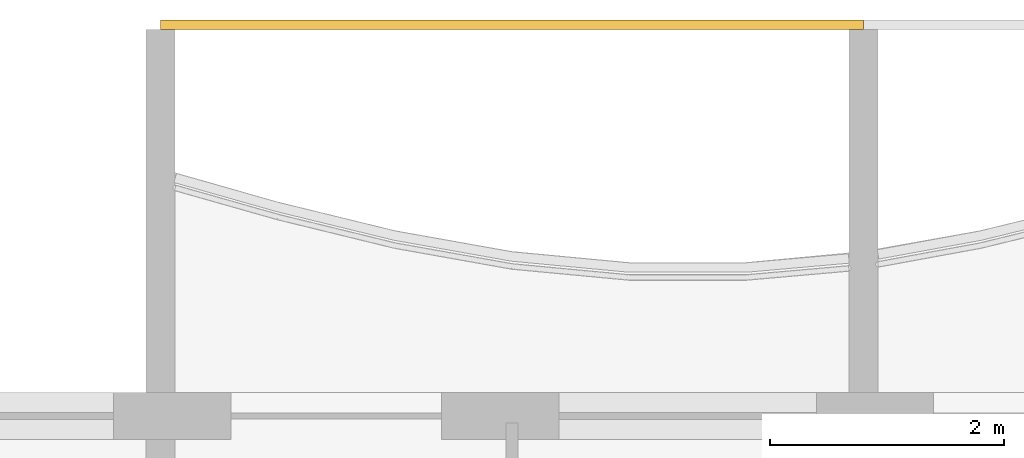
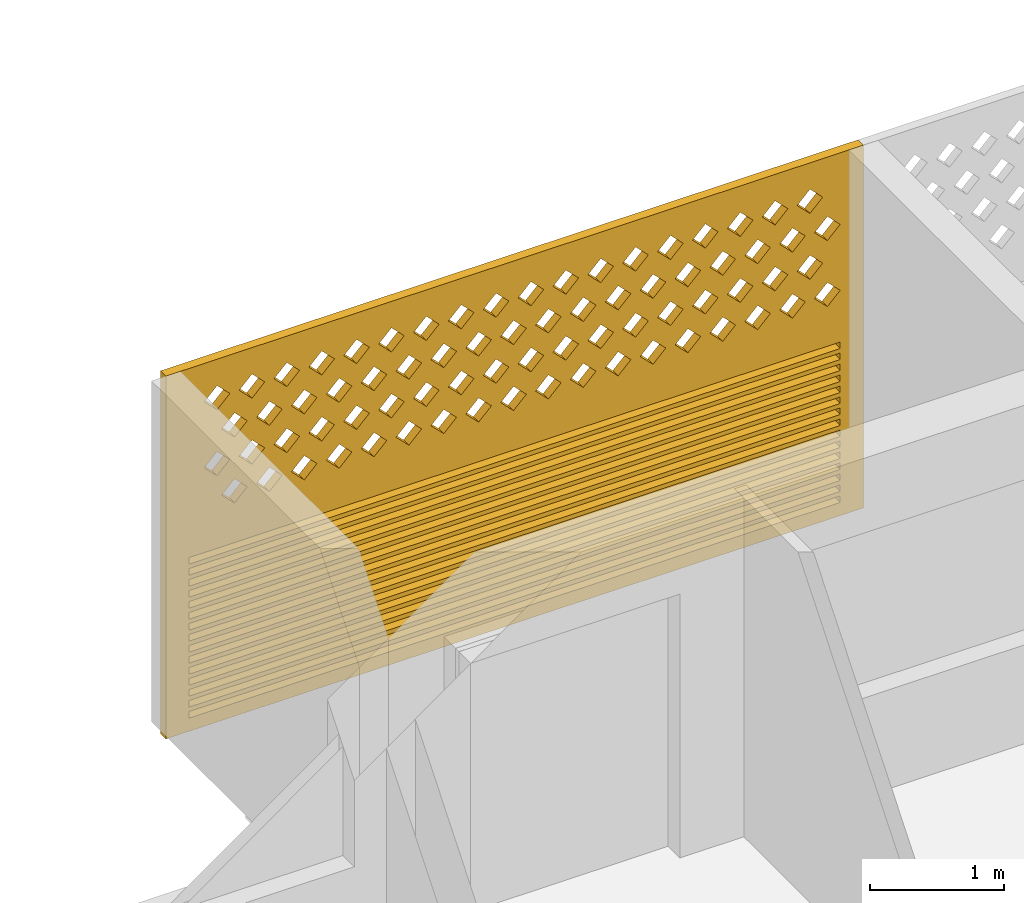
# One storey, part 22 of 28: 1 covering.
"""IFC4 building model written with IfcOpenShell, lengths in metres."""

from ifc_helpers import new_model, si_unit, direction, frame, origin, place, context, subcontext, project, spatial, polyline, outline, extrude, source, transform, mapped, material, material_profile, profile_set, type_object, element, save


model = new_model("IFC4")

# Units and contexts
model_context = context("Model", 3, precision=1e-05, world=origin(), true_north=direction((0.0, 1.0)))
body_context = subcontext(model_context, "Body", "Model", "MODEL_VIEW")
ifc_project = project(units=[si_unit("LENGTHUNIT", "METRE"), si_unit("AREAUNIT", "SQUARE_METRE"), si_unit("VOLUMEUNIT", "CUBIC_METRE"), si_unit("PLANEANGLEUNIT", "RADIAN"), si_unit("MASSUNIT", "GRAM", prefix="KILO")], contexts=[model_context])

# Site, building, storey
site_placement = place(None, origin())
site = spatial("IfcSite", under=ifc_project, at=site_placement, CompositionType="ELEMENT")
building_placement = place(site_placement, origin())
building = spatial("IfcBuilding", under=site, at=building_placement, Name="Poui Terraces", CompositionType="ELEMENT")
storey_placement = place(building_placement, frame((0.0, 0.0, 181.800048828125)))
storey = spatial("IfcBuildingStorey", under=building, at=storey_placement, Name="L50", CompositionType="ELEMENT", Elevation=181.800048828125)

# Covering
ifc_material = material(Name="Terracotta screen", Category="masonry")
ifc_material_profile = material_profile(ifc_material, outline(polyline([(-3.0, -1.64990234375), (3.0, -1.64990234375), (3.0, 1.64990234375), (-3.0, 1.64990234375), (-3.0, -1.64990234375)]), holes=[polyline([(-2.800048828125, 0.39990234375), (-2.68994140625, 0.2900390625), (-2.580078125, 0.39990234375), (-2.68994140625, 0.510009765625), (-2.800048828125, 0.39990234375)]), polyline([(-2.5, 0.39990234375), (-2.389892578125, 0.2900390625), (-2.280029296875, 0.39990234375), (-2.389892578125, 0.510009765625), (-2.5, 0.39990234375)]), polyline([(-2.199951171875, 0.39990234375), (-2.090087890625, 0.2900390625), (-1.97998046875, 0.39990234375), (-2.090087890625, 0.510009765625), (-2.199951171875, 0.39990234375)]), polyline([(-1.89990234375, 0.39990234375), (-1.7900390625, 0.2900390625), (-1.679931640625, 0.39990234375), (-1.7900390625, 0.510009765625), (-1.89990234375, 0.39990234375)]), polyline([(-1.60009765625, 0.39990234375), (-1.489990234375, 0.2900390625), (-1.3798828125, 0.39990234375), (-1.489990234375, 0.510009765625), (-1.60009765625, 0.39990234375)]), polyline([(-1.300048828125, 0.39990234375), (-1.18994140625, 0.2900390625), (-1.080078125, 0.39990234375), (-1.18994140625, 0.510009765625), (-1.300048828125, 0.39990234375)]), polyline([(-1.0, 0.39990234375), (-0.889892578125, 0.2900390625), (-0.780029296875, 0.39990234375), (-0.889892578125, 0.510009765625), (-1.0, 0.39990234375)]), polyline([(-0.699951171875, 0.39990234375), (-0.590087890625, 0.2900390625), (-0.47998046875, 0.39990234375), (-0.590087890625, 0.510009765625), (-0.699951171875, 0.39990234375)]), polyline([(-0.39990234375, 0.39990234375), (-0.2900390625, 0.2900390625), (-0.179931640625, 0.39990234375), (-0.2900390625, 0.510009765625), (-0.39990234375, 0.39990234375)]), polyline([(-0.10009765625, 0.39990234375), (0.010009765625, 0.2900390625), (0.1201171875, 0.39990234375), (0.010009765625, 0.510009765625), (-0.10009765625, 0.39990234375)]), polyline([(0.199951171875, 0.39990234375), (0.31005859375, 0.2900390625), (0.419921875, 0.39990234375), (0.31005859375, 0.510009765625), (0.199951171875, 0.39990234375)]), polyline([(0.5, 0.39990234375), (0.610107421875, 0.2900390625), (0.719970703125, 0.39990234375), (0.610107421875, 0.510009765625), (0.5, 0.39990234375)]), polyline([(0.800048828125, 0.39990234375), (0.909912109375, 0.2900390625), (1.02001953125, 0.39990234375), (0.909912109375, 0.510009765625), (0.800048828125, 0.39990234375)]), polyline([(1.10009765625, 0.39990234375), (1.2099609375, 0.2900390625), (1.320068359375, 0.39990234375), (1.2099609375, 0.510009765625), (1.10009765625, 0.39990234375)]), polyline([(1.39990234375, 0.39990234375), (1.510009765625, 0.2900390625), (1.6201171875, 0.39990234375), (1.510009765625, 0.510009765625), (1.39990234375, 0.39990234375)]), polyline([(1.699951171875, 0.39990234375), (1.81005859375, 0.2900390625), (1.919921875, 0.39990234375), (1.81005859375, 0.510009765625), (1.699951171875, 0.39990234375)]), polyline([(2.0, 0.39990234375), (2.110107421875, 0.2900390625), (2.219970703125, 0.39990234375), (2.110107421875, 0.510009765625), (2.0, 0.39990234375)]), polyline([(2.300048828125, 0.39990234375), (2.409912109375, 0.2900390625), (2.52001953125, 0.39990234375), (2.409912109375, 0.510009765625), (2.300048828125, 0.39990234375)]), polyline([(-2.64990234375, 0.699951171875), (-2.5400390625, 0.590087890625), (-2.429931640625, 0.699951171875), (-2.5400390625, 0.81005859375), (-2.64990234375, 0.699951171875)]), polyline([(-2.35009765625, 0.699951171875), (-2.239990234375, 0.590087890625), (-2.1298828125, 0.699951171875), (-2.239990234375, 0.81005859375), (-2.35009765625, 0.699951171875)]), polyline([(-2.050048828125, 0.699951171875), (-1.93994140625, 0.590087890625), (-1.830078125, 0.699951171875), (-1.93994140625, 0.81005859375), (-2.050048828125, 0.699951171875)]), polyline([(-1.75, 0.699951171875), (-1.639892578125, 0.590087890625), (-1.530029296875, 0.699951171875), (-1.639892578125, 0.81005859375), (-1.75, 0.699951171875)]), polyline([(-1.449951171875, 0.699951171875), (-1.340087890625, 0.590087890625), (-1.22998046875, 0.699951171875), (-1.340087890625, 0.81005859375), (-1.449951171875, 0.699951171875)]), polyline([(-1.14990234375, 0.699951171875), (-1.0400390625, 0.590087890625), (-0.929931640625, 0.699951171875), (-1.0400390625, 0.81005859375), (-1.14990234375, 0.699951171875)]), polyline([(-0.85009765625, 0.699951171875), (-0.739990234375, 0.590087890625), (-0.6298828125, 0.699951171875), (-0.739990234375, 0.81005859375), (-0.85009765625, 0.699951171875)]), polyline([(-0.550048828125, 0.699951171875), (-0.43994140625, 0.590087890625), (-0.330078125, 0.699951171875), (-0.43994140625, 0.81005859375), (-0.550048828125, 0.699951171875)]), polyline([(-0.25, 0.699951171875), (-0.139892578125, 0.590087890625), (-0.030029296875, 0.699951171875), (-0.139892578125, 0.81005859375), (-0.25, 0.699951171875)]), polyline([(0.050048828125, 0.699951171875), (0.159912109375, 0.590087890625), (0.27001953125, 0.699951171875), (0.159912109375, 0.81005859375), (0.050048828125, 0.699951171875)]), polyline([(0.35009765625, 0.699951171875), (0.4599609375, 0.590087890625), (0.570068359375, 0.699951171875), (0.4599609375, 0.81005859375), (0.35009765625, 0.699951171875)]), polyline([(0.64990234375, 0.699951171875), (0.760009765625, 0.590087890625), (0.8701171875, 0.699951171875), (0.760009765625, 0.81005859375), (0.64990234375, 0.699951171875)]), polyline([(0.949951171875, 0.699951171875), (1.06005859375, 0.590087890625), (1.169921875, 0.699951171875), (1.06005859375, 0.81005859375), (0.949951171875, 0.699951171875)]), polyline([(1.25, 0.699951171875), (1.360107421875, 0.590087890625), (1.469970703125, 0.699951171875), (1.360107421875, 0.81005859375), (1.25, 0.699951171875)]), polyline([(1.550048828125, 0.699951171875), (1.659912109375, 0.590087890625), (1.77001953125, 0.699951171875), (1.659912109375, 0.81005859375), (1.550048828125, 0.699951171875)]), polyline([(1.85009765625, 0.699951171875), (1.9599609375, 0.590087890625), (2.070068359375, 0.699951171875), (1.9599609375, 0.81005859375), (1.85009765625, 0.699951171875)]), polyline([(2.14990234375, 0.699951171875), (2.260009765625, 0.590087890625), (2.3701171875, 0.699951171875), (2.260009765625, 0.81005859375), (2.14990234375, 0.699951171875)]), polyline([(2.449951171875, 0.699951171875), (2.56005859375, 0.590087890625), (2.669921875, 0.699951171875), (2.56005859375, 0.81005859375), (2.449951171875, 0.699951171875)]), polyline([(-2.800048828125, 1.0), (-2.68994140625, 0.889892578125), (-2.580078125, 1.0), (-2.68994140625, 1.110107421875), (-2.800048828125, 1.0)]), polyline([(-2.5, 1.0), (-2.389892578125, 0.889892578125), (-2.280029296875, 1.0), (-2.389892578125, 1.110107421875), (-2.5, 1.0)]), polyline([(-2.199951171875, 1.0), (-2.090087890625, 0.889892578125), (-1.97998046875, 1.0), (-2.090087890625, 1.110107421875), (-2.199951171875, 1.0)]), polyline([(-1.89990234375, 1.0), (-1.7900390625, 0.889892578125), (-1.679931640625, 1.0), (-1.7900390625, 1.110107421875), (-1.89990234375, 1.0)]), polyline([(-1.60009765625, 1.0), (-1.489990234375, 0.889892578125), (-1.3798828125, 1.0), (-1.489990234375, 1.110107421875), (-1.60009765625, 1.0)]), polyline([(-1.300048828125, 1.0), (-1.18994140625, 0.889892578125), (-1.080078125, 1.0), (-1.18994140625, 1.110107421875), (-1.300048828125, 1.0)]), polyline([(-1.0, 1.0), (-0.889892578125, 0.889892578125), (-0.780029296875, 1.0), (-0.889892578125, 1.110107421875), (-1.0, 1.0)]), polyline([(-0.699951171875, 1.0), (-0.590087890625, 0.889892578125), (-0.47998046875, 1.0), (-0.590087890625, 1.110107421875), (-0.699951171875, 1.0)]), polyline([(-0.39990234375, 1.0), (-0.2900390625, 0.889892578125), (-0.179931640625, 1.0), (-0.2900390625, 1.110107421875), (-0.39990234375, 1.0)]), polyline([(-0.10009765625, 1.0), (0.010009765625, 0.889892578125), (0.1201171875, 1.0), (0.010009765625, 1.110107421875), (-0.10009765625, 1.0)]), polyline([(0.199951171875, 1.0), (0.31005859375, 0.889892578125), (0.419921875, 1.0), (0.31005859375, 1.110107421875), (0.199951171875, 1.0)]), polyline([(0.5, 1.0), (0.610107421875, 0.889892578125), (0.719970703125, 1.0), (0.610107421875, 1.110107421875), (0.5, 1.0)]), polyline([(0.800048828125, 1.0), (0.909912109375, 0.889892578125), (1.02001953125, 1.0), (0.909912109375, 1.110107421875), (0.800048828125, 1.0)]), polyline([(1.10009765625, 1.0), (1.2099609375, 0.889892578125), (1.320068359375, 1.0), (1.2099609375, 1.110107421875), (1.10009765625, 1.0)]), polyline([(1.39990234375, 1.0), (1.510009765625, 0.889892578125), (1.6201171875, 1.0), (1.510009765625, 1.110107421875), (1.39990234375, 1.0)]), polyline([(1.699951171875, 1.0), (1.81005859375, 0.889892578125), (1.919921875, 1.0), (1.81005859375, 1.110107421875), (1.699951171875, 1.0)]), polyline([(2.0, 1.0), (2.110107421875, 0.889892578125), (2.219970703125, 1.0), (2.110107421875, 1.110107421875), (2.0, 1.0)]), polyline([(2.300048828125, 1.0), (2.409912109375, 0.889892578125), (2.52001953125, 1.0), (2.409912109375, 1.110107421875), (2.300048828125, 1.0)]), polyline([(-2.64990234375, 1.300048828125), (-2.5400390625, 1.18994140625), (-2.429931640625, 1.300048828125), (-2.5400390625, 1.409912109375), (-2.64990234375, 1.300048828125)]), polyline([(-2.35009765625, 1.300048828125), (-2.239990234375, 1.18994140625), (-2.1298828125, 1.300048828125), (-2.239990234375, 1.409912109375), (-2.35009765625, 1.300048828125)]), polyline([(-2.050048828125, 1.300048828125), (-1.93994140625, 1.18994140625), (-1.830078125, 1.300048828125), (-1.93994140625, 1.409912109375), (-2.050048828125, 1.300048828125)]), polyline([(-1.75, 1.300048828125), (-1.639892578125, 1.18994140625), (-1.530029296875, 1.300048828125), (-1.639892578125, 1.409912109375), (-1.75, 1.300048828125)]), polyline([(-1.449951171875, 1.300048828125), (-1.340087890625, 1.18994140625), (-1.22998046875, 1.300048828125), (-1.340087890625, 1.409912109375), (-1.449951171875, 1.300048828125)]), polyline([(-1.14990234375, 1.300048828125), (-1.0400390625, 1.18994140625), (-0.929931640625, 1.300048828125), (-1.0400390625, 1.409912109375), (-1.14990234375, 1.300048828125)]), polyline([(-0.85009765625, 1.300048828125), (-0.739990234375, 1.18994140625), (-0.6298828125, 1.300048828125), (-0.739990234375, 1.409912109375), (-0.85009765625, 1.300048828125)]), polyline([(-0.550048828125, 1.300048828125), (-0.43994140625, 1.18994140625), (-0.330078125, 1.300048828125), (-0.43994140625, 1.409912109375), (-0.550048828125, 1.300048828125)]), polyline([(-0.25, 1.300048828125), (-0.139892578125, 1.18994140625), (-0.030029296875, 1.300048828125), (-0.139892578125, 1.409912109375), (-0.25, 1.300048828125)]), polyline([(0.050048828125, 1.300048828125), (0.159912109375, 1.18994140625), (0.27001953125, 1.300048828125), (0.159912109375, 1.409912109375), (0.050048828125, 1.300048828125)]), polyline([(0.35009765625, 1.300048828125), (0.4599609375, 1.18994140625), (0.570068359375, 1.300048828125), (0.4599609375, 1.409912109375), (0.35009765625, 1.300048828125)]), polyline([(0.64990234375, 1.300048828125), (0.760009765625, 1.18994140625), (0.8701171875, 1.300048828125), (0.760009765625, 1.409912109375), (0.64990234375, 1.300048828125)]), polyline([(0.949951171875, 1.300048828125), (1.06005859375, 1.18994140625), (1.169921875, 1.300048828125), (1.06005859375, 1.409912109375), (0.949951171875, 1.300048828125)]), polyline([(1.25, 1.300048828125), (1.360107421875, 1.18994140625), (1.469970703125, 1.300048828125), (1.360107421875, 1.409912109375), (1.25, 1.300048828125)]), polyline([(1.550048828125, 1.300048828125), (1.659912109375, 1.18994140625), (1.77001953125, 1.300048828125), (1.659912109375, 1.409912109375), (1.550048828125, 1.300048828125)]), polyline([(1.85009765625, 1.300048828125), (1.9599609375, 1.18994140625), (2.070068359375, 1.300048828125), (1.9599609375, 1.409912109375), (1.85009765625, 1.300048828125)]), polyline([(2.14990234375, 1.300048828125), (2.260009765625, 1.18994140625), (2.3701171875, 1.300048828125), (2.260009765625, 1.409912109375), (2.14990234375, 1.300048828125)]), polyline([(2.449951171875, 1.300048828125), (2.56005859375, 1.18994140625), (2.669921875, 1.300048828125), (2.56005859375, 1.409912109375), (2.449951171875, 1.300048828125)]), polyline([(-2.800048828125, -1.530029296875), (2.800048828125, -1.530029296875), (2.800048828125, -1.469970703125), (-2.800048828125, -1.469970703125), (-2.800048828125, -1.530029296875)]), polyline([(-2.800048828125, -1.429931640625), (2.800048828125, -1.429931640625), (2.800048828125, -1.3701171875), (-2.800048828125, -1.3701171875), (-2.800048828125, -1.429931640625)]), polyline([(-2.800048828125, -1.330078125), (2.800048828125, -1.330078125), (2.800048828125, -1.27001953125), (-2.800048828125, -1.27001953125), (-2.800048828125, -1.330078125)]), polyline([(-2.800048828125, -1.22998046875), (2.800048828125, -1.22998046875), (2.800048828125, -1.169921875), (-2.800048828125, -1.169921875), (-2.800048828125, -1.22998046875)]), polyline([(-2.800048828125, -1.1298828125), (2.800048828125, -1.1298828125), (2.800048828125, -1.070068359375), (-2.800048828125, -1.070068359375), (-2.800048828125, -1.1298828125)]), polyline([(-2.800048828125, -1.030029296875), (2.800048828125, -1.030029296875), (2.800048828125, -0.969970703125), (-2.800048828125, -0.969970703125), (-2.800048828125, -1.030029296875)]), polyline([(-2.800048828125, -0.929931640625), (2.800048828125, -0.929931640625), (2.800048828125, -0.8701171875), (-2.800048828125, -0.8701171875), (-2.800048828125, -0.929931640625)]), polyline([(-2.800048828125, -0.830078125), (2.800048828125, -0.830078125), (2.800048828125, -0.77001953125), (-2.800048828125, -0.77001953125), (-2.800048828125, -0.830078125)]), polyline([(-2.800048828125, -0.72998046875), (2.800048828125, -0.72998046875), (2.800048828125, -0.669921875), (-2.800048828125, -0.669921875), (-2.800048828125, -0.72998046875)]), polyline([(-2.800048828125, -0.6298828125), (2.800048828125, -0.6298828125), (2.800048828125, -0.570068359375), (-2.800048828125, -0.570068359375), (-2.800048828125, -0.6298828125)]), polyline([(-2.800048828125, -0.530029296875), (2.800048828125, -0.530029296875), (2.800048828125, -0.469970703125), (-2.800048828125, -0.469970703125), (-2.800048828125, -0.530029296875)]), polyline([(-2.800048828125, -0.429931640625), (2.800048828125, -0.429931640625), (2.800048828125, -0.3701171875), (-2.800048828125, -0.3701171875), (-2.800048828125, -0.429931640625)]), polyline([(-2.800048828125, -0.330078125), (2.800048828125, -0.330078125), (2.800048828125, -0.27001953125), (-2.800048828125, -0.27001953125), (-2.800048828125, -0.330078125)]), polyline([(-2.800048828125, -0.22998046875), (2.800048828125, -0.22998046875), (2.800048828125, -0.169921875), (-2.800048828125, -0.169921875), (-2.800048828125, -0.22998046875)]), polyline([(-2.800048828125, -0.1298828125), (2.800048828125, -0.1298828125), (2.800048828125, -0.070068359375), (-2.800048828125, -0.070068359375), (-2.800048828125, -0.1298828125)])]), Name="TERRACOTTA SCREEN AND JALOUSIE LOUVRE 6000X3300")
ifc_profile_set = profile_set([ifc_material_profile], Name="Terracotta screen")
covering_type = type_object("IfcCoveringType", Name="TERRACOTTA SCREEN AND JALOUSIE LOUVRE 6000X3300", PredefinedType="CLADDING", material=ifc_profile_set)
shared_shape = source(origin(), body_context, "Body", "SweptSolid", [
    extrude(outline(polyline([(-3.0, -1.64990234375), (3.0, -1.64990234375), (3.0, 1.64990234375), (-3.0, 1.64990234375), (-3.0, -1.64990234375)]), holes=[polyline([(-2.800048828125, 0.39990234375), (-2.68994140625, 0.2900390625), (-2.580078125, 0.39990234375), (-2.68994140625, 0.510009765625), (-2.800048828125, 0.39990234375)]), polyline([(-2.5, 0.39990234375), (-2.389892578125, 0.2900390625), (-2.280029296875, 0.39990234375), (-2.389892578125, 0.510009765625), (-2.5, 0.39990234375)]), polyline([(-2.199951171875, 0.39990234375), (-2.090087890625, 0.2900390625), (-1.97998046875, 0.39990234375), (-2.090087890625, 0.510009765625), (-2.199951171875, 0.39990234375)]), polyline([(-1.89990234375, 0.39990234375), (-1.7900390625, 0.2900390625), (-1.679931640625, 0.39990234375), (-1.7900390625, 0.510009765625), (-1.89990234375, 0.39990234375)]), polyline([(-1.60009765625, 0.39990234375), (-1.489990234375, 0.2900390625), (-1.3798828125, 0.39990234375), (-1.489990234375, 0.510009765625), (-1.60009765625, 0.39990234375)]), polyline([(-1.300048828125, 0.39990234375), (-1.18994140625, 0.2900390625), (-1.080078125, 0.39990234375), (-1.18994140625, 0.510009765625), (-1.300048828125, 0.39990234375)]), polyline([(-1.0, 0.39990234375), (-0.889892578125, 0.2900390625), (-0.780029296875, 0.39990234375), (-0.889892578125, 0.510009765625), (-1.0, 0.39990234375)]), polyline([(-0.699951171875, 0.39990234375), (-0.590087890625, 0.2900390625), (-0.47998046875, 0.39990234375), (-0.590087890625, 0.510009765625), (-0.699951171875, 0.39990234375)]), polyline([(-0.39990234375, 0.39990234375), (-0.2900390625, 0.2900390625), (-0.179931640625, 0.39990234375), (-0.2900390625, 0.510009765625), (-0.39990234375, 0.39990234375)]), polyline([(-0.10009765625, 0.39990234375), (0.010009765625, 0.2900390625), (0.1201171875, 0.39990234375), (0.010009765625, 0.510009765625), (-0.10009765625, 0.39990234375)]), polyline([(0.199951171875, 0.39990234375), (0.31005859375, 0.2900390625), (0.419921875, 0.39990234375), (0.31005859375, 0.510009765625), (0.199951171875, 0.39990234375)]), polyline([(0.5, 0.39990234375), (0.610107421875, 0.2900390625), (0.719970703125, 0.39990234375), (0.610107421875, 0.510009765625), (0.5, 0.39990234375)]), polyline([(0.800048828125, 0.39990234375), (0.909912109375, 0.2900390625), (1.02001953125, 0.39990234375), (0.909912109375, 0.510009765625), (0.800048828125, 0.39990234375)]), polyline([(1.10009765625, 0.39990234375), (1.2099609375, 0.2900390625), (1.320068359375, 0.39990234375), (1.2099609375, 0.510009765625), (1.10009765625, 0.39990234375)]), polyline([(1.39990234375, 0.39990234375), (1.510009765625, 0.2900390625), (1.6201171875, 0.39990234375), (1.510009765625, 0.510009765625), (1.39990234375, 0.39990234375)]), polyline([(1.699951171875, 0.39990234375), (1.81005859375, 0.2900390625), (1.919921875, 0.39990234375), (1.81005859375, 0.510009765625), (1.699951171875, 0.39990234375)]), polyline([(2.0, 0.39990234375), (2.110107421875, 0.2900390625), (2.219970703125, 0.39990234375), (2.110107421875, 0.510009765625), (2.0, 0.39990234375)]), polyline([(2.300048828125, 0.39990234375), (2.409912109375, 0.2900390625), (2.52001953125, 0.39990234375), (2.409912109375, 0.510009765625), (2.300048828125, 0.39990234375)]), polyline([(-2.64990234375, 0.699951171875), (-2.5400390625, 0.590087890625), (-2.429931640625, 0.699951171875), (-2.5400390625, 0.81005859375), (-2.64990234375, 0.699951171875)]), polyline([(-2.35009765625, 0.699951171875), (-2.239990234375, 0.590087890625), (-2.1298828125, 0.699951171875), (-2.239990234375, 0.81005859375), (-2.35009765625, 0.699951171875)]), polyline([(-2.050048828125, 0.699951171875), (-1.93994140625, 0.590087890625), (-1.830078125, 0.699951171875), (-1.93994140625, 0.81005859375), (-2.050048828125, 0.699951171875)]), polyline([(-1.75, 0.699951171875), (-1.639892578125, 0.590087890625), (-1.530029296875, 0.699951171875), (-1.639892578125, 0.81005859375), (-1.75, 0.699951171875)]), polyline([(-1.449951171875, 0.699951171875), (-1.340087890625, 0.590087890625), (-1.22998046875, 0.699951171875), (-1.340087890625, 0.81005859375), (-1.449951171875, 0.699951171875)]), polyline([(-1.14990234375, 0.699951171875), (-1.0400390625, 0.590087890625), (-0.929931640625, 0.699951171875), (-1.0400390625, 0.81005859375), (-1.14990234375, 0.699951171875)]), polyline([(-0.85009765625, 0.699951171875), (-0.739990234375, 0.590087890625), (-0.6298828125, 0.699951171875), (-0.739990234375, 0.81005859375), (-0.85009765625, 0.699951171875)]), polyline([(-0.550048828125, 0.699951171875), (-0.43994140625, 0.590087890625), (-0.330078125, 0.699951171875), (-0.43994140625, 0.81005859375), (-0.550048828125, 0.699951171875)]), polyline([(-0.25, 0.699951171875), (-0.139892578125, 0.590087890625), (-0.030029296875, 0.699951171875), (-0.139892578125, 0.81005859375), (-0.25, 0.699951171875)]), polyline([(0.050048828125, 0.699951171875), (0.159912109375, 0.590087890625), (0.27001953125, 0.699951171875), (0.159912109375, 0.81005859375), (0.050048828125, 0.699951171875)]), polyline([(0.35009765625, 0.699951171875), (0.4599609375, 0.590087890625), (0.570068359375, 0.699951171875), (0.4599609375, 0.81005859375), (0.35009765625, 0.699951171875)]), polyline([(0.64990234375, 0.699951171875), (0.760009765625, 0.590087890625), (0.8701171875, 0.699951171875), (0.760009765625, 0.81005859375), (0.64990234375, 0.699951171875)]), polyline([(0.949951171875, 0.699951171875), (1.06005859375, 0.590087890625), (1.169921875, 0.699951171875), (1.06005859375, 0.81005859375), (0.949951171875, 0.699951171875)]), polyline([(1.25, 0.699951171875), (1.360107421875, 0.590087890625), (1.469970703125, 0.699951171875), (1.360107421875, 0.81005859375), (1.25, 0.699951171875)]), polyline([(1.550048828125, 0.699951171875), (1.659912109375, 0.590087890625), (1.77001953125, 0.699951171875), (1.659912109375, 0.81005859375), (1.550048828125, 0.699951171875)]), polyline([(1.85009765625, 0.699951171875), (1.9599609375, 0.590087890625), (2.070068359375, 0.699951171875), (1.9599609375, 0.81005859375), (1.85009765625, 0.699951171875)]), polyline([(2.14990234375, 0.699951171875), (2.260009765625, 0.590087890625), (2.3701171875, 0.699951171875), (2.260009765625, 0.81005859375), (2.14990234375, 0.699951171875)]), polyline([(2.449951171875, 0.699951171875), (2.56005859375, 0.590087890625), (2.669921875, 0.699951171875), (2.56005859375, 0.81005859375), (2.449951171875, 0.699951171875)]), polyline([(-2.800048828125, 1.0), (-2.68994140625, 0.889892578125), (-2.580078125, 1.0), (-2.68994140625, 1.110107421875), (-2.800048828125, 1.0)]), polyline([(-2.5, 1.0), (-2.389892578125, 0.889892578125), (-2.280029296875, 1.0), (-2.389892578125, 1.110107421875), (-2.5, 1.0)]), polyline([(-2.199951171875, 1.0), (-2.090087890625, 0.889892578125), (-1.97998046875, 1.0), (-2.090087890625, 1.110107421875), (-2.199951171875, 1.0)]), polyline([(-1.89990234375, 1.0), (-1.7900390625, 0.889892578125), (-1.679931640625, 1.0), (-1.7900390625, 1.110107421875), (-1.89990234375, 1.0)]), polyline([(-1.60009765625, 1.0), (-1.489990234375, 0.889892578125), (-1.3798828125, 1.0), (-1.489990234375, 1.110107421875), (-1.60009765625, 1.0)]), polyline([(-1.300048828125, 1.0), (-1.18994140625, 0.889892578125), (-1.080078125, 1.0), (-1.18994140625, 1.110107421875), (-1.300048828125, 1.0)]), polyline([(-1.0, 1.0), (-0.889892578125, 0.889892578125), (-0.780029296875, 1.0), (-0.889892578125, 1.110107421875), (-1.0, 1.0)]), polyline([(-0.699951171875, 1.0), (-0.590087890625, 0.889892578125), (-0.47998046875, 1.0), (-0.590087890625, 1.110107421875), (-0.699951171875, 1.0)]), polyline([(-0.39990234375, 1.0), (-0.2900390625, 0.889892578125), (-0.179931640625, 1.0), (-0.2900390625, 1.110107421875), (-0.39990234375, 1.0)]), polyline([(-0.10009765625, 1.0), (0.010009765625, 0.889892578125), (0.1201171875, 1.0), (0.010009765625, 1.110107421875), (-0.10009765625, 1.0)]), polyline([(0.199951171875, 1.0), (0.31005859375, 0.889892578125), (0.419921875, 1.0), (0.31005859375, 1.110107421875), (0.199951171875, 1.0)]), polyline([(0.5, 1.0), (0.610107421875, 0.889892578125), (0.719970703125, 1.0), (0.610107421875, 1.110107421875), (0.5, 1.0)]), polyline([(0.800048828125, 1.0), (0.909912109375, 0.889892578125), (1.02001953125, 1.0), (0.909912109375, 1.110107421875), (0.800048828125, 1.0)]), polyline([(1.10009765625, 1.0), (1.2099609375, 0.889892578125), (1.320068359375, 1.0), (1.2099609375, 1.110107421875), (1.10009765625, 1.0)]), polyline([(1.39990234375, 1.0), (1.510009765625, 0.889892578125), (1.6201171875, 1.0), (1.510009765625, 1.110107421875), (1.39990234375, 1.0)]), polyline([(1.699951171875, 1.0), (1.81005859375, 0.889892578125), (1.919921875, 1.0), (1.81005859375, 1.110107421875), (1.699951171875, 1.0)]), polyline([(2.0, 1.0), (2.110107421875, 0.889892578125), (2.219970703125, 1.0), (2.110107421875, 1.110107421875), (2.0, 1.0)]), polyline([(2.300048828125, 1.0), (2.409912109375, 0.889892578125), (2.52001953125, 1.0), (2.409912109375, 1.110107421875), (2.300048828125, 1.0)]), polyline([(-2.64990234375, 1.300048828125), (-2.5400390625, 1.18994140625), (-2.429931640625, 1.300048828125), (-2.5400390625, 1.409912109375), (-2.64990234375, 1.300048828125)]), polyline([(-2.35009765625, 1.300048828125), (-2.239990234375, 1.18994140625), (-2.1298828125, 1.300048828125), (-2.239990234375, 1.409912109375), (-2.35009765625, 1.300048828125)]), polyline([(-2.050048828125, 1.300048828125), (-1.93994140625, 1.18994140625), (-1.830078125, 1.300048828125), (-1.93994140625, 1.409912109375), (-2.050048828125, 1.300048828125)]), polyline([(-1.75, 1.300048828125), (-1.639892578125, 1.18994140625), (-1.530029296875, 1.300048828125), (-1.639892578125, 1.409912109375), (-1.75, 1.300048828125)]), polyline([(-1.449951171875, 1.300048828125), (-1.340087890625, 1.18994140625), (-1.22998046875, 1.300048828125), (-1.340087890625, 1.409912109375), (-1.449951171875, 1.300048828125)]), polyline([(-1.14990234375, 1.300048828125), (-1.0400390625, 1.18994140625), (-0.929931640625, 1.300048828125), (-1.0400390625, 1.409912109375), (-1.14990234375, 1.300048828125)]), polyline([(-0.85009765625, 1.300048828125), (-0.739990234375, 1.18994140625), (-0.6298828125, 1.300048828125), (-0.739990234375, 1.409912109375), (-0.85009765625, 1.300048828125)]), polyline([(-0.550048828125, 1.300048828125), (-0.43994140625, 1.18994140625), (-0.330078125, 1.300048828125), (-0.43994140625, 1.409912109375), (-0.550048828125, 1.300048828125)]), polyline([(-0.25, 1.300048828125), (-0.139892578125, 1.18994140625), (-0.030029296875, 1.300048828125), (-0.139892578125, 1.409912109375), (-0.25, 1.300048828125)]), polyline([(0.050048828125, 1.300048828125), (0.159912109375, 1.18994140625), (0.27001953125, 1.300048828125), (0.159912109375, 1.409912109375), (0.050048828125, 1.300048828125)]), polyline([(0.35009765625, 1.300048828125), (0.4599609375, 1.18994140625), (0.570068359375, 1.300048828125), (0.4599609375, 1.409912109375), (0.35009765625, 1.300048828125)]), polyline([(0.64990234375, 1.300048828125), (0.760009765625, 1.18994140625), (0.8701171875, 1.300048828125), (0.760009765625, 1.409912109375), (0.64990234375, 1.300048828125)]), polyline([(0.949951171875, 1.300048828125), (1.06005859375, 1.18994140625), (1.169921875, 1.300048828125), (1.06005859375, 1.409912109375), (0.949951171875, 1.300048828125)]), polyline([(1.25, 1.300048828125), (1.360107421875, 1.18994140625), (1.469970703125, 1.300048828125), (1.360107421875, 1.409912109375), (1.25, 1.300048828125)]), polyline([(1.550048828125, 1.300048828125), (1.659912109375, 1.18994140625), (1.77001953125, 1.300048828125), (1.659912109375, 1.409912109375), (1.550048828125, 1.300048828125)]), polyline([(1.85009765625, 1.300048828125), (1.9599609375, 1.18994140625), (2.070068359375, 1.300048828125), (1.9599609375, 1.409912109375), (1.85009765625, 1.300048828125)]), polyline([(2.14990234375, 1.300048828125), (2.260009765625, 1.18994140625), (2.3701171875, 1.300048828125), (2.260009765625, 1.409912109375), (2.14990234375, 1.300048828125)]), polyline([(2.449951171875, 1.300048828125), (2.56005859375, 1.18994140625), (2.669921875, 1.300048828125), (2.56005859375, 1.409912109375), (2.449951171875, 1.300048828125)]), polyline([(-2.800048828125, -1.530029296875), (2.800048828125, -1.530029296875), (2.800048828125, -1.469970703125), (-2.800048828125, -1.469970703125), (-2.800048828125, -1.530029296875)]), polyline([(-2.800048828125, -1.429931640625), (2.800048828125, -1.429931640625), (2.800048828125, -1.3701171875), (-2.800048828125, -1.3701171875), (-2.800048828125, -1.429931640625)]), polyline([(-2.800048828125, -1.330078125), (2.800048828125, -1.330078125), (2.800048828125, -1.27001953125), (-2.800048828125, -1.27001953125), (-2.800048828125, -1.330078125)]), polyline([(-2.800048828125, -1.22998046875), (2.800048828125, -1.22998046875), (2.800048828125, -1.169921875), (-2.800048828125, -1.169921875), (-2.800048828125, -1.22998046875)]), polyline([(-2.800048828125, -1.1298828125), (2.800048828125, -1.1298828125), (2.800048828125, -1.070068359375), (-2.800048828125, -1.070068359375), (-2.800048828125, -1.1298828125)]), polyline([(-2.800048828125, -1.030029296875), (2.800048828125, -1.030029296875), (2.800048828125, -0.969970703125), (-2.800048828125, -0.969970703125), (-2.800048828125, -1.030029296875)]), polyline([(-2.800048828125, -0.929931640625), (2.800048828125, -0.929931640625), (2.800048828125, -0.8701171875), (-2.800048828125, -0.8701171875), (-2.800048828125, -0.929931640625)]), polyline([(-2.800048828125, -0.830078125), (2.800048828125, -0.830078125), (2.800048828125, -0.77001953125), (-2.800048828125, -0.77001953125), (-2.800048828125, -0.830078125)]), polyline([(-2.800048828125, -0.72998046875), (2.800048828125, -0.72998046875), (2.800048828125, -0.669921875), (-2.800048828125, -0.669921875), (-2.800048828125, -0.72998046875)]), polyline([(-2.800048828125, -0.6298828125), (2.800048828125, -0.6298828125), (2.800048828125, -0.570068359375), (-2.800048828125, -0.570068359375), (-2.800048828125, -0.6298828125)]), polyline([(-2.800048828125, -0.530029296875), (2.800048828125, -0.530029296875), (2.800048828125, -0.469970703125), (-2.800048828125, -0.469970703125), (-2.800048828125, -0.530029296875)]), polyline([(-2.800048828125, -0.429931640625), (2.800048828125, -0.429931640625), (2.800048828125, -0.3701171875), (-2.800048828125, -0.3701171875), (-2.800048828125, -0.429931640625)]), polyline([(-2.800048828125, -0.330078125), (2.800048828125, -0.330078125), (2.800048828125, -0.27001953125), (-2.800048828125, -0.27001953125), (-2.800048828125, -0.330078125)]), polyline([(-2.800048828125, -0.22998046875), (2.800048828125, -0.22998046875), (2.800048828125, -0.169921875), (-2.800048828125, -0.169921875), (-2.800048828125, -0.22998046875)]), polyline([(-2.800048828125, -0.1298828125), (2.800048828125, -0.1298828125), (2.800048828125, -0.070068359375), (-2.800048828125, -0.070068359375), (-2.800048828125, -0.1298828125)])]), origin(), (0.0, 0.0, 1.0), 0.080078125),
])
covering_placement = place(storey_placement, frame((57.0, 44.5, 1.449951171875), z_axis=(0.0, 1.0, 0.0), x_axis=(-1.0, 0.0, 0.0)))
element("IfcCovering", 1, at=covering_placement, inside=storey, type_object=covering_type, Name="SOLAR SCREEN AND JALOUSIE LOUVRE", PredefinedType="CLADDING", context=body_context, shape_type="MappedRepresentation", body=[
    mapped(shared_shape, transform((0.0, 0.0, 0.0))),
])

save(model, "model.ifc")
